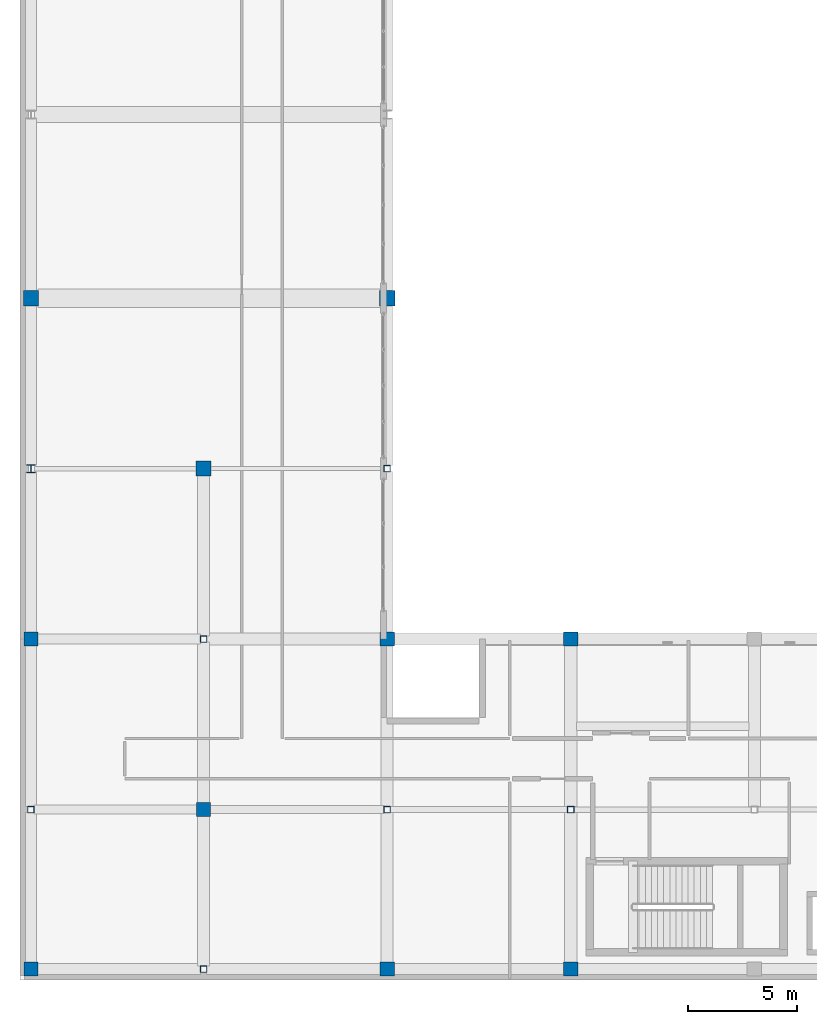
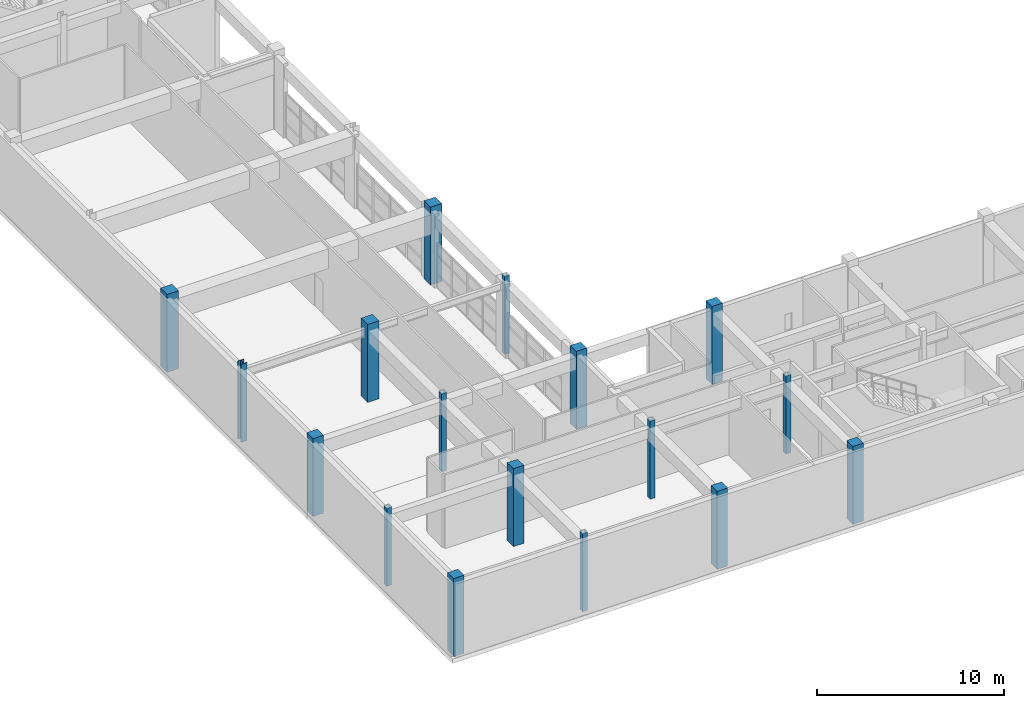
# One storey, part 1 of 103: 17 columns.
"""IFC4 building model written with IfcOpenShell, lengths in metres."""

from ifc_helpers import new_model, si_unit, direction, frame, origin, origin_2d, place, context, subcontext, project, spatial, rectangle, hollow_rectangle, i_section, extrude, material, material_profile, profile_set, type_object, element, save


model = new_model("IFC4")

# Units and contexts
model_context = context("Model", 3, precision=1e-05, world=origin(), true_north=direction((0.0, 1.0)))
body_context = subcontext(model_context, "Body", "Model", "MODEL_VIEW")
ifc_project = project(units=[si_unit("LENGTHUNIT", "METRE"), si_unit("AREAUNIT", "SQUARE_METRE"), si_unit("VOLUMEUNIT", "CUBIC_METRE"), si_unit("PLANEANGLEUNIT", "RADIAN"), si_unit("MASSUNIT", "GRAM", prefix="KILO")], contexts=[model_context])

# Site, building, storey
site_placement = place(None, origin())
site = spatial("IfcSite", under=ifc_project, at=site_placement, CompositionType="ELEMENT")
building_placement = place(site_placement, origin())
building = spatial("IfcBuilding", under=site, at=building_placement, Name="Quendrovan Civic Courthouse", CompositionType="ELEMENT")
storey_placement = place(building_placement, frame((0.0, 0.0, 15.300048828125)))
storey = spatial("IfcBuildingStorey", under=building, at=storey_placement, Name="L04", CompositionType="ELEMENT", Elevation=15.300048828125)

# Columns
ifc_material_1 = material(Name="Concrete C45/55", Category="concrete")
ifc_material_profile_1 = material_profile(ifc_material_1, rectangle(XDim=0.64990234375, YDim=0.64990234375, at=origin_2d()), Name="RC-COL-650x650")
ifc_profile_set_1 = profile_set([ifc_material_profile_1], Name="Concrete C45/55")
column_type_1 = type_object("IfcColumnType", Name="COL-RC650", PredefinedType="COLUMN", material=ifc_profile_set_1)
for number, where, z_axis, x_axis, name in (
    (1, (0.5, 0.5, 0.0), (0.0, 0.0, 1.0), (1.0, 0.0, 0.0), "L04 Column 1-A"),
    (2, (0.5, 15.60009765625, 0.0), (0.0, 0.0, 1.0), (1.0, 0.0, 0.0), "L04 Column 1-C"),
    (3, (8.39990234375, 7.800048828125, 0.0), (0.0, 0.0, 1.0), (1.0, 0.0, 0.0), "L04 Column 2-B"),
    (4, (16.800048828125, 0.5, 0.0), (0.0, 0.0, 1.0), (1.0, 0.0, 0.0), "L04 Column 3-A"),
    (5, (16.800048828125, 15.60009765625, 0.0), (0.0, 0.0, 1.0), (1.0, 0.0, 0.0), "L04 Column 3-C"),
    (6, (25.199951171875, 0.5, 0.0), (0.0, 0.0, 1.0), (1.0, 0.0, 0.0), "L04 Column 4-A"),
    (7, (25.199951171875, 15.60009765625, 0.0), (0.0, 0.0, 1.0), (1.0, 0.0, 0.0), "L04 Column 4-C"),
):
    element("IfcColumn", number, at=place(storey_placement, frame(where, z_axis=z_axis, x_axis=x_axis)), inside=storey, type_object=column_type_1, Name=name, PredefinedType="COLUMN", context=body_context, shape_type="SweptSolid", body=[
        extrude(rectangle(XDim=0.64990234375, YDim=0.64990234375, at=origin_2d()), origin(), (0.0, 0.0, 1.0), 5.099853515625),
    ])
ifc_material_profile_2 = material_profile(ifc_material_1, rectangle(XDim=0.699951171875, YDim=0.699951171875, at=origin_2d()), Name="RC-COL-700x700")
ifc_profile_set_2 = profile_set([ifc_material_profile_2], Name="Concrete C45/55")
column_type_2 = type_object("IfcColumnType", Name="COL-RC700", PredefinedType="COLUMN", material=ifc_profile_set_2)
for number, where, z_axis, x_axis, name in (
    (8, (0.5, 31.199951171875, 0.0), (0.0, 0.0, 1.0), (1.0, 0.0, 0.0), "L04 Column 1-E"),
    (9, (8.39990234375, 23.39990234375, 0.0), (0.0, 0.0, 1.0), (1.0, 0.0, 0.0), "L04 Column 2-D"),
    (10, (16.800048828125, 31.199951171875, 0.0), (0.0, 0.0, 1.0), (1.0, 0.0, 0.0), "L04 Column 3-E"),
):
    element("IfcColumn", number, at=place(storey_placement, frame(where, z_axis=z_axis, x_axis=x_axis)), inside=storey, type_object=column_type_2, Name=name, PredefinedType="COLUMN", context=body_context, shape_type="SweptSolid", body=[
        extrude(rectangle(XDim=0.699951171875, YDim=0.699951171875, at=origin_2d()), origin(), (0.0, 0.0, 1.0), 5.099853515625),
    ])
ifc_material_2 = material(Name="Steel ASTM A500 Grade C", Category="steel")
ifc_material_profile_3 = material_profile(ifc_material_2, hollow_rectangle(XDim=0.300048828125, YDim=0.300048828125, WallThickness=0.011962890625, at=origin_2d()), Name="HSS300x300x12")
ifc_profile_set_3 = profile_set([ifc_material_profile_3], Name="Steel ASTM A500 Grade C")
column_type_3 = type_object("IfcColumnType", Name="COL-STL-HSS300S", PredefinedType="COLUMN", material=ifc_profile_set_3)
for number, where, z_axis, x_axis, name in (
    (11, (0.5, 7.800048828125, 0.0), (0.0, 0.0, 1.0), (1.0, 0.0, 0.0), "L04 Column 1-B"),
    (12, (8.39990234375, 0.5, 0.0), (0.0, 0.0, 1.0), (1.0, 0.0, 0.0), "L04 Column 2-A"),
    (13, (8.39990234375, 15.60009765625, 0.0), (0.0, 0.0, 1.0), (1.0, 0.0, 0.0), "L04 Column 2-C"),
    (14, (16.800048828125, 7.800048828125, 0.0), (0.0, 0.0, 1.0), (1.0, 0.0, 0.0), "L04 Column 3-B"),
    (15, (16.800048828125, 23.39990234375, 0.0), (0.0, 0.0, 1.0), (1.0, 0.0, 0.0), "L04 Column 3-D"),
    (16, (25.199951171875, 7.800048828125, 0.0), (0.0, 0.0, 1.0), (1.0, 0.0, 0.0), "L04 Column 4-B"),
):
    element("IfcColumn", number, at=place(storey_placement, frame(where, z_axis=z_axis, x_axis=x_axis)), inside=storey, type_object=column_type_3, Name=name, PredefinedType="COLUMN", context=body_context, shape_type="SweptSolid", body=[
        extrude(hollow_rectangle(XDim=0.300048828125, YDim=0.300048828125, WallThickness=0.011962890625, at=origin_2d()), origin(), (0.0, 0.0, 1.0), 5.099853515625),
    ])
ifc_material_3 = material(Name="Steel ASTM A992 Grade 50", Category="steel")
ifc_material_profile_4 = material_profile(ifc_material_3, i_section(OverallWidth=0.3740234375, OverallDepth=0.3720703125, WebThickness=0.016357421875, FlangeThickness=0.026123046875, at=origin_2d()), Name="W14X132")
ifc_profile_set_4 = profile_set([ifc_material_profile_4], Name="Steel ASTM A992 Grade 50")
column_type_4 = type_object("IfcColumnType", Name="COL-STL-W14X132", PredefinedType="COLUMN", material=ifc_profile_set_4)
column_placement = place(storey_placement, frame((0.5, 23.39990234375, 0.0), z_axis=(0.0, 0.0, 1.0), x_axis=(1.0, 0.0, 0.0)))
element("IfcColumn", 17, at=column_placement, inside=storey, type_object=column_type_4, Name="L04 Column 1-D", PredefinedType="COLUMN", context=body_context, shape_type="SweptSolid", body=[
    extrude(i_section(OverallWidth=0.3740234375, OverallDepth=0.3720703125, WebThickness=0.016357421875, FlangeThickness=0.026123046875, at=origin_2d()), origin(), (0.0, 0.0, 1.0), 5.099853515625),
])

save(model, "model.ifc")
